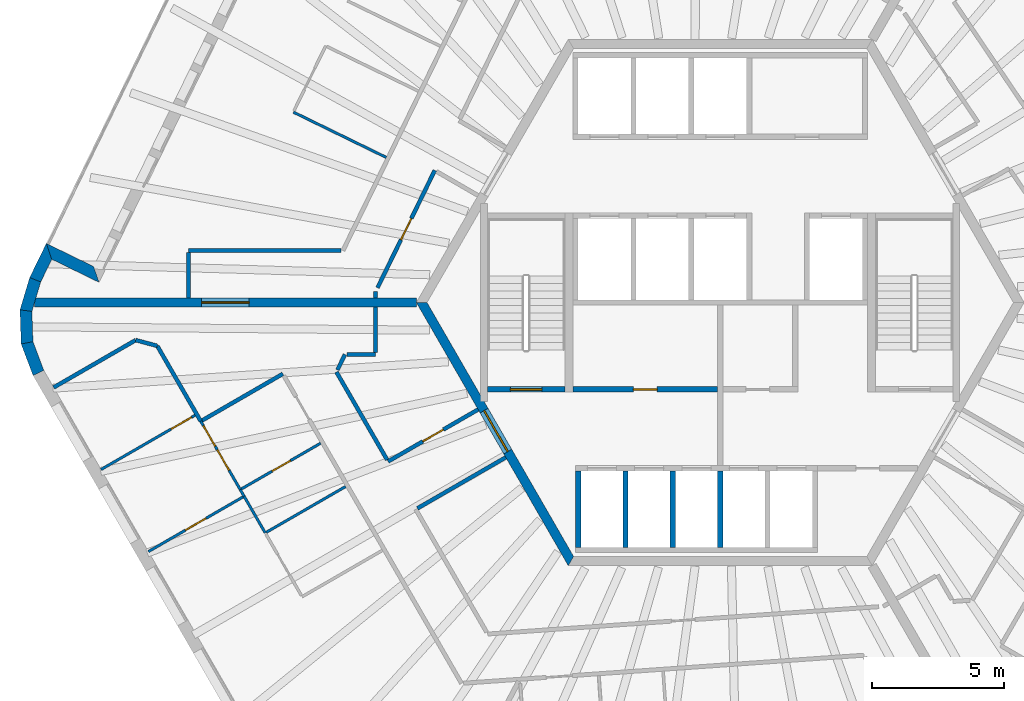
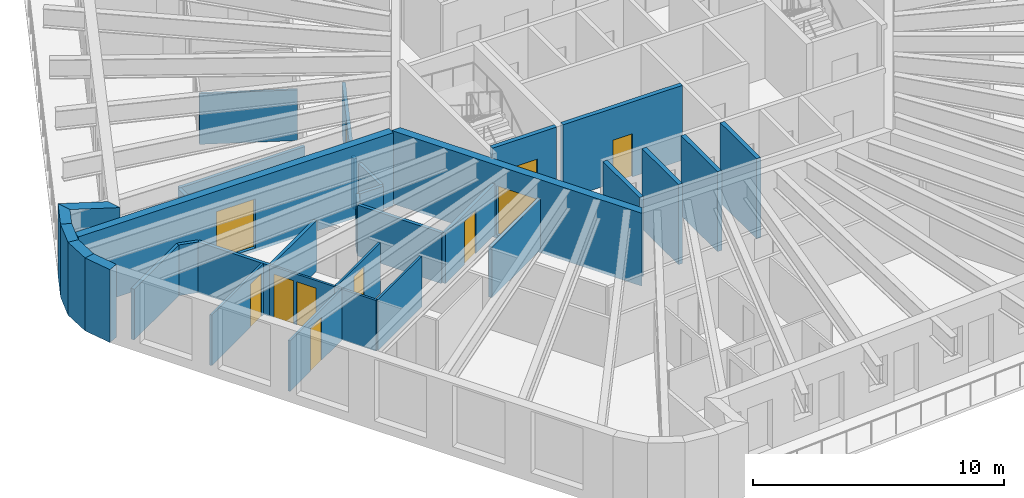
# One storey, part 4 of 11: 35 walls, 11 doors, 11 openings.
"""IFC4 building model written with IfcOpenShell, lengths in metres."""

from ifc_helpers import new_model, si_unit, direction, frame, frame_2d, origin, place, context, subcontext, project, spatial, polyline, rectangle, outline, extrude, material, layer, layer_set, type_object, element, fill, save


model = new_model("IFC4")

# Units and contexts
model_context = context("Model", 3, precision=1e-05, world=origin(), true_north=direction((0.0, 1.0)))
body_context = subcontext(model_context, "Body", "Model", "MODEL_VIEW")
ifc_project = project(units=[si_unit("LENGTHUNIT", "METRE"), si_unit("AREAUNIT", "SQUARE_METRE"), si_unit("VOLUMEUNIT", "CUBIC_METRE"), si_unit("PLANEANGLEUNIT", "RADIAN"), si_unit("MASSUNIT", "GRAM", prefix="KILO")], contexts=[model_context])

# Site, building, storey
site_placement = place(None, origin())
site = spatial("IfcSite", under=ifc_project, at=site_placement, CompositionType="ELEMENT")
building_placement = place(site_placement, origin())
building = spatial("IfcBuilding", under=site, at=building_placement, Name="Tarnside Tower", CompositionType="ELEMENT")
storey_placement = place(building_placement, frame((0.0, 0.0, 372.89990234375)))
storey = spatial("IfcBuildingStorey", under=building, at=storey_placement, Name="L90", CompositionType="ELEMENT", Elevation=372.89990234375)

# Wall
ifc_material_1 = material(Name="Gypsum board partition on steel studs", Category="steel")
ifc_layer_1 = layer(ifc_material_1, 0.10009765625)
ifc_layer_set_1 = layer_set([ifc_layer_1], Name="Bathroom wall 100")
wall_type_1 = type_object("IfcWallType", Name="Bathroom wall 100", PredefinedType="PARTITIONING", material=ifc_layer_set_1)
wall_1_placement = place(storey_placement, frame((-17.28857421875, -8.75537109375, 0.0), z_axis=(0.0, 0.0, 1.0), x_axis=(-0.499958946799, 0.866049104564, 0.0)))
element("IfcWall", 1, at=wall_1_placement, inside=storey, type_object=wall_type_1, Name="Bathroom wall 29107", PredefinedType="PARTITIONING", context=body_context, shape_type="SweptSolid", body=[
    extrude(rectangle(XDim=1.608642578125, YDim=0.10009765625, at=frame_2d((0.80419921875, 0.0))), origin(), (0.0, 0.0, 1.0), 2.47021484375),
])

# Wall, opening, door
wall_2_placement = place(storey_placement, frame((-18.238525390625, -7.10986328125, 0.0), z_axis=(0.0, 0.0, 1.0), x_axis=(0.866031034943, 0.499990246421, 0.0)))
wall_2 = element("IfcWall", 2, at=wall_2_placement, inside=storey, type_object=wall_type_1, Name="Bathroom wall 29116", PredefinedType="PARTITIONING", context=body_context, shape_type="SweptSolid", body=[
    extrude(rectangle(XDim=3.52490234375, YDim=0.10009765625, at=frame_2d((1.762451171875, 0.0))), origin(), (0.0, 0.0, 1.0), 2.47021484375),
])
opening_1_placement = place(wall_2_placement, frame((1.39990234375, 0.0, 0.0)))
opening_1 = element("IfcOpeningElement", 3, at=opening_1_placement, cuts=wall_2, Name="Opening D-B1", PredefinedType="OPENING", context=body_context, shape_type="SweptSolid", body=[
    extrude(rectangle(XDim=0.800048828125, YDim=2.10009765625, at=frame_2d((0.39990234375, 1.050048828125))), frame((0.0, 0.06005859375, 0.0), z_axis=(0.0, -1.0, 0.0), x_axis=(1.0, 0.0, 0.0)), (0.0, 0.0, 1.0), 0.1201171875),
])
ifc_material_2 = material(Name="Timber door leaf", Category="wood")
door_type_1 = type_object("IfcDoorType", Name="Bathroom door 800", OperationType="NOTDEFINED", PredefinedType="DOOR", material=ifc_material_2)
door_1_placement = place(opening_1_placement, origin())
door_1 = element("IfcDoor", 4, at=door_1_placement, inside=storey, type_object=door_type_1, Name="Bathroom door 29022", OperationType="SINGLE_SWING_LEFT", OverallHeight=2.10009765625, OverallWidth=0.800048828125, PredefinedType="DOOR", context=body_context, shape_type="SweptSolid", body=[
    extrude(rectangle(XDim=0.800048828125, YDim=2.10009765625, at=frame_2d((0.39990234375, 1.050048828125))), frame((0.0, 0.02490234375, 0.0), z_axis=(0.0, -1.0, 0.0), x_axis=(1.0, 0.0, 0.0)), (0.0, 0.0, 1.0), 0.050048828125),
])
fill(opening_1, door_1)

# Walls
wall_3_placement = place(storey_placement, frame((-18.239501953125, -7.108154296875, 0.0), z_axis=(0.0, 0.0, 1.0), x_axis=(0.499960902066, -0.86604797581, 0.0)))
element("IfcWall", 5, at=wall_3_placement, inside=storey, type_object=wall_type_1, Name="Bathroom wall 29118", PredefinedType="PARTITIONING", context=body_context, shape_type="SweptSolid", body=[
    extrude(rectangle(XDim=0.29541015625, YDim=0.10009765625, at=frame_2d((0.147705078125, 0.0))), origin(), (0.0, 0.0, 1.0), 2.47021484375),
])
wall_4_placement = place(storey_placement, frame((-17.245361328125, -8.730224609375, 0.0), z_axis=(0.0, 0.0, 1.0), x_axis=(0.866055725969, 0.499947476758, 0.0)))
element("IfcWall", 6, at=wall_4_placement, inside=storey, type_object=wall_type_1, Name="Bathroom wall 29119", PredefinedType="PARTITIONING", context=body_context, shape_type="SweptSolid", body=[
    extrude(rectangle(XDim=3.474853515625, YDim=0.10009765625, at=frame_2d((1.7373046875, 0.0))), origin(), (0.0, 0.0, 1.0), 2.47021484375),
])

# Wall, opening, door
ifc_material_3 = material(Name="Concrete C40/50", Category="concrete")
ifc_layer_2 = layer(ifc_material_3, 0.199951171875)
ifc_layer_set_2 = layer_set([ifc_layer_2], Name="Core room partition 200 C40/50")
wall_type_2 = type_object("IfcWallType", Name="Core room partition 200 C40/50", PredefinedType="PARTITIONING", material=ifc_layer_set_2)
wall_5_placement = place(storey_placement, frame((-5.60009765625, -3.300048828125, 0.0), z_axis=(0.0, 0.0, 1.0), x_axis=(1.0, 0.0, 0.0)))
wall_5 = element("IfcWall", 7, at=wall_5_placement, inside=storey, type_object=wall_type_2, Name="L90 core partition W3", PredefinedType="PARTITIONING", context=body_context, shape_type="SweptSolid", body=[
    extrude(rectangle(XDim=5.5, YDim=0.199951171875, at=frame_2d((2.75, 0.0))), origin(), (0.0, 0.0, 1.0), 3.650146484375),
])
opening_2_placement = place(wall_5_placement, frame((2.300048828125, 0.0, 0.0)))
opening_2 = element("IfcOpeningElement", 8, at=opening_2_placement, cuts=wall_5, Name="Opening CD-room", PredefinedType="OPENING", context=body_context, shape_type="SweptSolid", body=[
    extrude(rectangle(XDim=0.89990234375, YDim=2.10009765625, at=frame_2d((0.449951171875, 1.050048828125))), frame((0.0, 0.10986328125, 0.0), z_axis=(0.0, -1.0, 0.0), x_axis=(1.0, 0.0, 0.0)), (0.0, 0.0, 1.0), 0.219970703125),
])
ifc_material_4 = material(Name="Steel fire door", Category="steel")
door_type_2 = type_object("IfcDoorType", Name="Room door FD60 900x2100", OperationType="NOTDEFINED", PredefinedType="DOOR", material=ifc_material_4)
door_2_placement = place(opening_2_placement, origin())
door_2 = element("IfcDoor", 9, at=door_2_placement, inside=storey, type_object=door_type_2, Name="L90 core room door W3D", OperationType="SINGLE_SWING_LEFT", OverallHeight=2.10009765625, OverallWidth=0.89990234375, PredefinedType="DOOR", context=body_context, shape_type="SweptSolid", body=[
    extrude(rectangle(XDim=0.89990234375, YDim=2.10009765625, at=frame_2d((0.449951171875, 1.050048828125))), frame((0.0, 0.02490234375, 0.0), z_axis=(0.0, -1.0, 0.0), x_axis=(1.0, 0.0, 0.0)), (0.0, 0.0, 1.0), 0.050048828125),
])
fill(opening_2, door_2)

ifc_material_5 = material(Name="Concrete C50/60", Category="concrete")
ifc_layer_3 = layer(ifc_material_5, 0.35009765625)
ifc_layer_set_3 = layer_set([ifc_layer_3], Name="Core wall Z4 350 C50/60")
wall_type_3 = type_object("IfcWallType", Name="Core wall Z4 350 C50/60", PredefinedType="SHEAR", material=ifc_layer_set_3)
wall_6_placement = place(storey_placement, frame((-11.344970703125, 0.0, -0.14990234375), z_axis=(0.0, 0.0, 1.0), x_axis=(0.499995046907, -0.866028263435, 0.0)))
wall_6 = element("IfcWall", 10, at=wall_6_placement, inside=storey, type_object=wall_type_3, Name="L90 core wall face 3", PredefinedType="SHEAR", context=body_context, shape_type="SweptSolid", body=[
    extrude(outline(polyline([(-0.10107421875, -0.175048828125), (11.44580078125, -0.175048828125), (11.24365234375, 0.175048828125), (0.10107421875, 0.175048828125), (-0.10107421875, -0.175048828125)])), origin(), (0.0, 0.0, 1.0), 3.550048828125),
])
opening_3_placement = place(wall_6_placement, frame((4.74365234375, 0.0, 0.14990234375)))
opening_3 = element("IfcOpeningElement", 11, at=opening_3_placement, cuts=wall_6, Name="Opening CD-FFL", PredefinedType="OPENING", context=body_context, shape_type="SweptSolid", body=[
    extrude(rectangle(XDim=1.800048828125, YDim=2.39990234375, at=frame_2d((0.89990234375, 1.199951171875))), frame((0.0, 0.18505859375, 0.0), z_axis=(0.0, -1.0, 0.0), x_axis=(1.0, 0.0, 0.0)), (0.0, 0.0, 1.0), 0.3701171875),
])
door_type_3 = type_object("IfcDoorType", Name="Firefighting lobby double door FD60S 1800x2400", OperationType="NOTDEFINED", PredefinedType="DOOR", material=ifc_material_4)
door_3_placement = place(opening_3_placement, origin())
door_3 = element("IfcDoor", 12, at=door_3_placement, inside=storey, type_object=door_type_3, Name="L90 core door P3", OperationType="DOUBLE_DOOR_SINGLE_SWING", OverallHeight=2.39990234375, OverallWidth=1.800048828125, PredefinedType="DOOR", context=body_context, shape_type="SweptSolid", body=[
    extrude(rectangle(XDim=1.800048828125, YDim=2.39990234375, at=frame_2d((0.89990234375, 1.199951171875))), frame((0.0, 0.02490234375, 0.0), z_axis=(0.0, -1.0, 0.0), x_axis=(1.0, 0.0, 0.0)), (0.0, 0.0, 1.0), 0.050048828125),
])
fill(opening_3, door_3)

wall_7_placement = place(storey_placement, frame((-11.547119140625, 0.0, -0.14990234375), z_axis=(0.0, 0.0, 1.0), x_axis=(-1.0, 0.0, 0.0)))
wall_7 = element("IfcWall", 13, at=wall_7_placement, inside=storey, type_object=wall_type_3, Name="L90 spine wall 2", PredefinedType="SHEAR", context=body_context, shape_type="SweptSolid", body=[
    extrude(rectangle(XDim=14.510498046875, YDim=0.35009765625, at=frame_2d((7.25537109375, 0.0))), origin(), (0.0, 0.0, 1.0), 3.550048828125),
])
opening_4_placement = place(wall_7_placement, frame((6.355224609375, 0.0, 0.14990234375)))
opening_4 = element("IfcOpeningElement", 14, at=opening_4_placement, cuts=wall_7, Name="Opening CD-SPN", PredefinedType="OPENING", context=body_context, shape_type="SweptSolid", body=[
    extrude(rectangle(XDim=1.800048828125, YDim=2.39990234375, at=frame_2d((0.89990234375, 1.199951171875))), frame((0.0, 0.18505859375, 0.0), z_axis=(0.0, -1.0, 0.0), x_axis=(1.0, 0.0, 0.0)), (0.0, 0.0, 1.0), 0.3701171875),
])
door_type_4 = type_object("IfcDoorType", Name="Spine passage double door FD60 1800x2400", OperationType="NOTDEFINED", PredefinedType="DOOR", material=ifc_material_4)
door_4_placement = place(opening_4_placement, origin())
door_4 = element("IfcDoor", 15, at=door_4_placement, inside=storey, type_object=door_type_4, Name="L90 spine passage door 2", OperationType="DOUBLE_DOOR_SINGLE_SWING", OverallHeight=2.39990234375, OverallWidth=1.800048828125, PredefinedType="DOOR", context=body_context, shape_type="SweptSolid", body=[
    extrude(rectangle(XDim=1.800048828125, YDim=2.39990234375, at=frame_2d((0.89990234375, 1.199951171875))), frame((0.0, 0.02490234375, 0.0), z_axis=(0.0, -1.0, 0.0), x_axis=(1.0, 0.0, 0.0)), (0.0, 0.0, 1.0), 0.050048828125),
])
fill(opening_4, door_4)

# Walls
ifc_layer_4 = layer(ifc_material_1, 0.14990234375)
ifc_layer_set_4 = layer_set([ifc_layer_4], Name="Corridor wall 150 EI 60")
wall_type_4 = type_object("IfcWallType", Name="Corridor wall 150 EI 60", PredefinedType="PARTITIONING", material=ifc_layer_set_4)
wall_8_placement = place(storey_placement, frame((-14.41845703125, 1.97509765625, 0.0), z_axis=(0.0, 0.0, 1.0), x_axis=(-1.0, 0.0, 0.0)))
element("IfcWall", 16, at=wall_8_placement, inside=storey, type_object=wall_type_4, Name="Corridor wall 29012", PredefinedType="PARTITIONING", context=body_context, shape_type="SweptSolid", body=[
    extrude(rectangle(XDim=5.783935546875, YDim=0.14990234375, at=frame_2d((2.89208984375, 0.0))), origin(), (0.0, 0.0, 1.0), 2.47021484375),
])
wall_9_placement = place(storey_placement, frame((-20.202392578125, 1.89990234375, 0.0), z_axis=(0.0, 0.0, 1.0), x_axis=(0.0, -1.0, 0.0)))
element("IfcWall", 17, at=wall_9_placement, inside=storey, type_object=wall_type_4, Name="Corridor wall 29013", PredefinedType="PARTITIONING", context=body_context, shape_type="SweptSolid", body=[
    extrude(rectangle(XDim=1.724853515625, YDim=0.14990234375, at=frame_2d((0.8623046875, 0.0))), origin(), (0.0, 0.0, 1.0), 2.47021484375),
])
wall_10_placement = place(storey_placement, frame((-13.095703125, 0.175048828125, 0.0), z_axis=(0.0, 0.0, 1.0), x_axis=(0.0, 1.0, 0.0)))
element("IfcWall", 18, at=wall_10_placement, inside=storey, type_object=wall_type_4, Name="Corridor wall 29024", PredefinedType="PARTITIONING", context=body_context, shape_type="SweptSolid", body=[
    extrude(rectangle(XDim=0.235107421875, YDim=0.14990234375, at=frame_2d((0.11767578125, 0.0))), origin(), (0.0, 0.0, 1.0), 2.47021484375),
])

# Wall, opening, door
wall_11_placement = place(storey_placement, frame((-13.0205078125, 0.563720703125, 0.0), z_axis=(0.0, 0.0, 1.0), x_axis=(0.438343062662, 0.8988077433, 0.0)))
wall_11 = element("IfcWall", 19, at=wall_11_placement, inside=storey, type_object=wall_type_4, Name="Corridor wall 29025", PredefinedType="PARTITIONING", context=body_context, shape_type="SweptSolid", body=[
    extrude(rectangle(XDim=4.955322265625, YDim=0.14990234375, at=frame_2d((2.4775390625, 0.0))), origin(), (0.0, 0.0, 1.0), 2.47021484375),
])
opening_5_placement = place(wall_11_placement, frame((2.027587890625, 0.0, 0.0)))
opening_5 = element("IfcOpeningElement", 20, at=opening_5_placement, cuts=wall_11, Name="Opening D-S1", PredefinedType="OPENING", context=body_context, shape_type="SweptSolid", body=[
    extrude(rectangle(XDim=0.89990234375, YDim=2.10009765625, at=frame_2d((0.449951171875, 1.050048828125))), frame((0.0, 0.0849609375, 0.0), z_axis=(0.0, -1.0, 0.0), x_axis=(1.0, 0.0, 0.0)), (0.0, 0.0, 1.0), 0.169921875),
])
door_type_5 = type_object("IfcDoorType", Name="Service room door 900 FD30S", OperationType="NOTDEFINED", PredefinedType="DOOR", material=ifc_material_2)
door_5_placement = place(opening_5_placement, origin())
door_5 = element("IfcDoor", 21, at=door_5_placement, inside=storey, type_object=door_type_5, Name="Service door 29058", OperationType="SINGLE_SWING_LEFT", OverallHeight=2.10009765625, OverallWidth=0.89990234375, PredefinedType="DOOR", context=body_context, shape_type="SweptSolid", body=[
    extrude(rectangle(XDim=0.89990234375, YDim=2.10009765625, at=frame_2d((0.449951171875, 1.050048828125))), frame((0.0, 0.02490234375, 0.0), z_axis=(0.0, -1.0, 0.0), x_axis=(1.0, 0.0, 0.0)), (0.0, 0.0, 1.0), 0.050048828125),
])
fill(opening_5, door_5)

# Walls
wall_12_placement = place(storey_placement, frame((-19.738525390625, -4.51171875, 0.0), z_axis=(0.0, 0.0, 1.0), x_axis=(0.866018442252, 0.500012057535, 0.0)))
element("IfcWall", 22, at=wall_12_placement, inside=storey, type_object=wall_type_4, Name="Corridor wall 29029", PredefinedType="PARTITIONING", context=body_context, shape_type="SweptSolid", body=[
    extrude(rectangle(XDim=3.60009765625, YDim=0.14990234375, at=frame_2d((1.800048828125, 0.0))), origin(), (0.0, 0.0, 1.0), 2.47021484375),
])
wall_13_placement = place(storey_placement, frame((-25.3291015625, -3.228759765625, 0.0), z_axis=(0.0, 0.0, 1.0), x_axis=(0.866030854095, 0.499990559667, 0.0)))
element("IfcWall", 23, at=wall_13_placement, inside=storey, type_object=wall_type_4, Name="Corridor wall 29032", PredefinedType="PARTITIONING", context=body_context, shape_type="SweptSolid", body=[
    extrude(rectangle(XDim=3.599609375, YDim=0.14990234375, at=frame_2d((1.7998046875, 0.0))), origin(), (0.0, 0.0, 1.0), 2.47021484375),
])
wall_14_placement = place(storey_placement, frame((-22.210693359375, -1.428955078125, 0.0), z_axis=(0.0, 0.0, 1.0), x_axis=(0.965937762102, -0.258774495933, 0.0)))
element("IfcWall", 24, at=wall_14_placement, inside=storey, type_object=wall_type_4, Name="Corridor wall 29033", PredefinedType="PARTITIONING", context=body_context, shape_type="SweptSolid", body=[
    extrude(rectangle(XDim=0.84716796875, YDim=0.14990234375, at=frame_2d((0.423583984375, 0.0))), origin(), (0.0, 0.0, 1.0), 2.47021484375),
])
wall_15_placement = place(storey_placement, frame((-21.391845703125, -1.6484375, 0.0), z_axis=(0.0, 0.0, 1.0), x_axis=(0.500018282537, -0.866014848099, 0.0)))
element("IfcWall", 25, at=wall_15_placement, inside=storey, type_object=wall_type_4, Name="Corridor wall 29034", PredefinedType="PARTITIONING", context=body_context, shape_type="SweptSolid", body=[
    extrude(rectangle(XDim=3.31005859375, YDim=0.14990234375, at=frame_2d((1.655029296875, 0.0))), origin(), (0.0, 0.0, 1.0), 2.47021484375),
])

# Wall, opening, door
wall_16_placement = place(storey_placement, frame((-9.19970703125, -4.065673828125, 0.0), z_axis=(0.0, 0.0, 1.0), x_axis=(-0.866020906874, -0.500007788796, 0.0)))
wall_16 = element("IfcWall", 26, at=wall_16_placement, inside=storey, type_object=wall_type_4, Name="Corridor wall 29042", PredefinedType="PARTITIONING", context=body_context, shape_type="SweptSolid", body=[
    extrude(rectangle(XDim=3.9501953125, YDim=0.14990234375, at=frame_2d((1.97509765625, 0.0))), origin(), (0.0, 0.0, 1.0), 2.47021484375),
])
opening_6_placement = place(wall_16_placement, frame((1.52490234375, 0.0, 0.0)))
opening_6 = element("IfcOpeningElement", 27, at=opening_6_placement, cuts=wall_16, Name="Opening D-S1", PredefinedType="OPENING", context=body_context, shape_type="SweptSolid", body=[
    extrude(rectangle(XDim=0.89990234375, YDim=2.10009765625, at=frame_2d((0.449951171875, 1.050048828125))), frame((0.0, 0.0849609375, 0.0), z_axis=(0.0, -1.0, 0.0), x_axis=(1.0, 0.0, 0.0)), (0.0, 0.0, 1.0), 0.169921875),
])
door_6_placement = place(opening_6_placement, origin())
door_6 = element("IfcDoor", 28, at=door_6_placement, inside=storey, type_object=door_type_5, Name="Service door 29059", OperationType="SINGLE_SWING_LEFT", OverallHeight=2.10009765625, OverallWidth=0.89990234375, PredefinedType="DOOR", context=body_context, shape_type="SweptSolid", body=[
    extrude(rectangle(XDim=0.89990234375, YDim=2.10009765625, at=frame_2d((0.449951171875, 1.050048828125))), frame((0.0, 0.02490234375, 0.0), z_axis=(0.0, -1.0, 0.0), x_axis=(1.0, 0.0, 0.0)), (0.0, 0.0, 1.0), 0.050048828125),
])
fill(opening_6, door_6)

# Walls
wall_17_placement = place(storey_placement, frame((-12.657958984375, -5.975830078125, 0.0), z_axis=(0.0, 0.0, 1.0), x_axis=(-0.499991345342, 0.866030400496, 0.0)))
element("IfcWall", 29, at=wall_17_placement, inside=storey, type_object=wall_type_4, Name="Corridor wall 29043", PredefinedType="PARTITIONING", context=body_context, shape_type="SweptSolid", body=[
    extrude(rectangle(XDim=3.85107421875, YDim=0.14990234375, at=frame_2d((1.925537109375, 0.0))), origin(), (0.0, 0.0, 1.0), 2.47021484375),
])
wall_18_placement = place(storey_placement, frame((-14.5439453125, -2.559326171875, 0.0), z_axis=(0.0, 0.0, 1.0), x_axis=(0.438630789999, 0.898667363414, 0.0)))
element("IfcWall", 30, at=wall_18_placement, inside=storey, type_object=wall_type_4, Name="Corridor wall 29044", PredefinedType="PARTITIONING", context=body_context, shape_type="SweptSolid", body=[
    extrude(rectangle(XDim=0.650146484375, YDim=0.14990234375, at=frame_2d((0.3251953125, 0.0))), origin(), (0.0, 0.0, 1.0), 2.47021484375),
])
wall_19_placement = place(storey_placement, frame((-14.175537109375, -1.97509765625, 0.0), z_axis=(0.0, 0.0, 1.0), x_axis=(1.0, 0.0, 0.0)))
element("IfcWall", 31, at=wall_19_placement, inside=storey, type_object=wall_type_4, Name="Corridor wall 29045", PredefinedType="PARTITIONING", context=body_context, shape_type="SweptSolid", body=[
    extrude(rectangle(XDim=1.079833984375, YDim=0.14990234375, at=frame_2d((0.5400390625, 0.0))), origin(), (0.0, 0.0, 1.0), 2.47021484375),
])
wall_20_placement = place(storey_placement, frame((-13.095703125, -1.89990234375, 0.0), z_axis=(0.0, 0.0, 1.0), x_axis=(0.0, 1.0, 0.0)))
element("IfcWall", 32, at=wall_20_placement, inside=storey, type_object=wall_type_4, Name="Corridor wall 29046", PredefinedType="PARTITIONING", context=body_context, shape_type="SweptSolid", body=[
    extrude(rectangle(XDim=1.724853515625, YDim=0.14990234375, at=frame_2d((0.8623046875, 0.0))), origin(), (0.0, 0.0, 1.0), 2.47021484375),
])
wall_21_placement = place(storey_placement, frame((-11.505615234375, -7.82177734375, 0.0), z_axis=(0.0, 0.0, 1.0), x_axis=(0.866032409438, 0.499987865656, 0.0)))
element("IfcWall", 33, at=wall_21_placement, inside=storey, type_object=wall_type_4, Name="Corridor wall 29050", PredefinedType="PARTITIONING", context=body_context, shape_type="SweptSolid", body=[
    extrude(rectangle(XDim=3.875, YDim=0.14990234375, at=frame_2d((1.9375, 0.0))), origin(), (0.0, 0.0, 1.0), 2.47021484375),
])
ifc_layer_5 = layer(ifc_material_3, 0.199951171875)
ifc_layer_set_5 = layer_set([ifc_layer_5], Name="Lift shaft wall 200 C40/50")
wall_type_5 = type_object("IfcWallType", Name="Lift shaft wall 200 C40/50", PredefinedType="SHEAR", material=ifc_layer_set_5)
for number, where, z_axis, x_axis, name in (
    (34, (-5.39990234375, -9.300048828125, -0.25), (0.0, 0.0, 1.0), (0.0, 1.0, 0.0), "L90 lift shaft partition R41"),
    (35, (-3.60009765625, -9.300048828125, -0.25), (0.0, 0.0, 1.0), (0.0, 1.0, 0.0), "L90 lift shaft partition R42"),
    (36, (-1.800048828125, -9.300048828125, -0.25), (0.0, 0.0, 1.0), (0.0, 1.0, 0.0), "L90 lift shaft partition R43"),
    (37, (0.0, -9.300048828125, -0.25), (0.0, 0.0, 1.0), (0.0, 1.0, 0.0), "L90 lift shaft partition R44"),
):
    element("IfcWall", number, at=place(storey_placement, frame(where, z_axis=z_axis, x_axis=x_axis)), inside=storey, type_object=wall_type_5, Name=name, PredefinedType="SHEAR", context=body_context, shape_type="SweptSolid", body=[
        extrude(rectangle(XDim=2.900146484375, YDim=0.199951171875, at=frame_2d((1.4501953125, 0.0))), origin(), (0.0, 0.0, 1.0), 3.900146484375),
    ])

# Wall, opening, door
wall_22_placement = place(storey_placement, frame((-8.85009765625, -3.300048828125, -0.25), z_axis=(0.0, 0.0, 1.0), x_axis=(1.0, 0.0, 0.0)))
wall_22 = element("IfcWall", 38, at=wall_22_placement, inside=storey, type_object=wall_type_5, Name="L90 stair 2 enclosure cap wall s", PredefinedType="SHEAR", context=body_context, shape_type="SweptSolid", body=[
    extrude(rectangle(XDim=2.9501953125, YDim=0.199951171875, at=frame_2d((1.47509765625, 0.0))), origin(), (0.0, 0.0, 1.0), 3.900146484375),
])
opening_7_placement = place(wall_22_placement, frame((0.875, 0.0, 0.25)))
opening_7 = element("IfcOpeningElement", 39, at=opening_7_placement, cuts=wall_22, Name="Opening CD-STR", PredefinedType="OPENING", context=body_context, shape_type="SweptSolid", body=[
    extrude(rectangle(XDim=1.199951171875, YDim=2.39990234375, at=frame_2d((0.60009765625, 1.199951171875))), frame((0.0, 0.10986328125, 0.0), z_axis=(0.0, -1.0, 0.0), x_axis=(1.0, 0.0, 0.0)), (0.0, 0.0, 1.0), 0.219970703125),
])
door_type_6 = type_object("IfcDoorType", Name="Stair door FD60S 1200x2400", OperationType="NOTDEFINED", PredefinedType="DOOR", material=ifc_material_4)
door_7_placement = place(opening_7_placement, origin())
door_7 = element("IfcDoor", 40, at=door_7_placement, inside=storey, type_object=door_type_6, Name="L90 stair 2 door", OperationType="SINGLE_SWING_LEFT", OverallHeight=2.39990234375, OverallWidth=1.199951171875, PredefinedType="DOOR", context=body_context, shape_type="SweptSolid", body=[
    extrude(rectangle(XDim=1.199951171875, YDim=2.39990234375, at=frame_2d((0.60009765625, 1.199951171875))), frame((0.0, 0.02490234375, 0.0), z_axis=(0.0, -1.0, 0.0), x_axis=(1.0, 0.0, 0.0)), (0.0, 0.0, 1.0), 0.050048828125),
])
fill(opening_7, door_7)

# Walls
ifc_material_6 = material(Name="Dark zinc cladding")
ifc_layer_6 = layer(ifc_material_6, 0.10205078125)
ifc_material_7 = material(Name="Concrete C60/75 precast", Category="concrete")
ifc_layer_7 = layer(ifc_material_7, 0.248046875)
ifc_material_8 = material(Name="Mineral wool insulation")
ifc_layer_8 = layer(ifc_material_8, 0.10009765625)
ifc_layer_set_6 = layer_set([ifc_layer_6, ifc_layer_7, ifc_layer_8], Name="Loggia wall 450 zinc faced")
wall_type_6 = type_object("IfcWallType", Name="Loggia wall 450 zinc faced", PredefinedType="SOLIDWALL", material=ifc_layer_set_6)
wall_23_placement = place(storey_placement, frame((-23.70703125, 1.066162109375, -0.14990234375), z_axis=(0.0, 0.0, 1.0), x_axis=(-0.898779005228, 0.438401984213, 0.0)))
element("IfcWall", 41, at=wall_23_placement, inside=storey, type_object=wall_type_6, Name="Tube wall L90 F2 return 07", PredefinedType="SOLIDWALL", context=body_context, shape_type="SweptSolid", body=[
    extrude(outline(polyline([(0.224853515625, -0.22509765625), (2.224609375, -0.22509765625), (1.77490234375, 0.22509765625), (-0.224853515625, 0.22509765625), (0.224853515625, -0.22509765625)])), origin(), (0.0, 0.0, 1.0), 3.550048828125),
])
wall_24_placement = place(storey_placement, frame((-25.50439453125, 1.94287109375, -0.14990234375), z_axis=(0.0, 0.0, 1.0), x_axis=(-0.43840359141, -0.898778221275, 0.0)))
element("IfcWall", 42, at=wall_24_placement, inside=storey, type_object=wall_type_6, Name="Tube wall L90 F2 stub 08", PredefinedType="SOLIDWALL", context=body_context, shape_type="SweptSolid", body=[
    extrude(outline(polyline([(-0.224853515625, -0.22509765625), (1.218505859375, -0.22509765625), (1.181884765625, 0.22509765625), (0.224853515625, 0.22509765625), (-0.224853515625, -0.22509765625)])), origin(), (0.0, 0.0, 1.0), 3.550048828125),
])
ifc_layer_9 = layer(ifc_material_1, 0.10009765625)
ifc_layer_set_7 = layer_set([ifc_layer_9], Name="Partition 100")
wall_type_7 = type_object("IfcWallType", Name="Partition 100", PredefinedType="PARTITIONING", material=ifc_layer_set_7)
wall_25_placement = place(storey_placement, frame((-12.6923828125, 5.513916015625, 0.0), z_axis=(0.0, 0.0, 1.0), x_axis=(-0.898787574002, 0.438384416717, 0.0)))
element("IfcWall", 43, at=wall_25_placement, inside=storey, type_object=wall_type_7, Name="Partition wall 29097", PredefinedType="PARTITIONING", context=body_context, shape_type="SweptSolid", body=[
    extrude(rectangle(XDim=3.925048828125, YDim=0.10009765625, at=frame_2d((1.96240234375, 0.0))), origin(), (0.0, 0.0, 1.0), 2.47021484375),
])

# Wall, opening, door
wall_26_placement = place(storey_placement, frame((-18.135009765625, -7.38916015625, 0.0), z_axis=(0.0, 0.0, 1.0), x_axis=(-0.86602981871, -0.499992353047, 0.0)))
wall_26 = element("IfcWall", 44, at=wall_26_placement, inside=storey, type_object=wall_type_7, Name="Partition wall 29108", PredefinedType="PARTITIONING", context=body_context, shape_type="SweptSolid", body=[
    extrude(rectangle(XDim=4.14990234375, YDim=0.10009765625, at=frame_2d((2.074951171875, 0.0))), origin(), (0.0, 0.0, 1.0), 2.47021484375),
])
opening_8_placement = place(wall_26_placement, frame((1.625, 0.0, 0.0)))
opening_8 = element("IfcOpeningElement", 45, at=opening_8_placement, cuts=wall_26, Name="Opening D-I1", PredefinedType="OPENING", context=body_context, shape_type="SweptSolid", body=[
    extrude(rectangle(XDim=0.89990234375, YDim=2.10009765625, at=frame_2d((0.449951171875, 1.050048828125))), frame((0.0, 0.06005859375, 0.0), z_axis=(0.0, -1.0, 0.0), x_axis=(1.0, 0.0, 0.0)), (0.0, 0.0, 1.0), 0.1201171875),
])
door_type_7 = type_object("IfcDoorType", Name="Internal door 900", OperationType="NOTDEFINED", PredefinedType="DOOR", material=ifc_material_2)
door_8_placement = place(opening_8_placement, origin())
door_8 = element("IfcDoor", 46, at=door_8_placement, inside=storey, type_object=door_type_7, Name="Internal door 29055", OperationType="SINGLE_SWING_RIGHT", OverallHeight=2.10009765625, OverallWidth=0.89990234375, PredefinedType="DOOR", context=body_context, shape_type="SweptSolid", body=[
    extrude(rectangle(XDim=0.89990234375, YDim=2.10009765625, at=frame_2d((0.449951171875, 1.050048828125))), frame((0.0, 0.02490234375, 0.0), z_axis=(0.0, -1.0, 0.0), x_axis=(1.0, 0.0, 0.0)), (0.0, 0.0, 1.0), 0.050048828125),
])
fill(opening_8, door_8)

# Wall, openings, doors
wall_27_placement = place(storey_placement, frame((-19.739501953125, -4.510009765625, 0.0), z_axis=(0.0, 0.0, 1.0), x_axis=(0.499985098601, -0.86603400694, 0.0)))
wall_27 = element("IfcWall", 47, at=wall_27_placement, inside=storey, type_object=wall_type_7, Name="Partition wall 29117", PredefinedType="PARTITIONING", context=body_context, shape_type="SweptSolid", body=[
    extrude(rectangle(XDim=3.00390625, YDim=0.10009765625, at=frame_2d((1.501953125, 0.0))), origin(), (0.0, 0.0, 1.0), 2.47021484375),
])
opening_9_placement = place(wall_27_placement, frame((0.199951171875, 0.0, 0.0)))
opening_9 = element("IfcOpeningElement", 48, at=opening_9_placement, cuts=wall_27, Name="Opening D-I1", PredefinedType="OPENING", context=body_context, shape_type="SweptSolid", body=[
    extrude(rectangle(XDim=0.89990234375, YDim=2.10009765625, at=frame_2d((0.449951171875, 1.050048828125))), frame((0.0, 0.06005859375, 0.0), z_axis=(0.0, -1.0, 0.0), x_axis=(1.0, 0.0, 0.0)), (0.0, 0.0, 1.0), 0.1201171875),
])
opening_10_placement = place(wall_27_placement, frame((1.251953125, 0.0, 0.0)))
opening_10 = element("IfcOpeningElement", 49, at=opening_10_placement, cuts=wall_27, Name="Opening D-I1", PredefinedType="OPENING", context=body_context, shape_type="SweptSolid", body=[
    extrude(rectangle(XDim=0.89990234375, YDim=2.10009765625, at=frame_2d((0.449951171875, 1.050048828125))), frame((0.0, 0.06005859375, 0.0), z_axis=(0.0, -1.0, 0.0), x_axis=(1.0, 0.0, 0.0)), (0.0, 0.0, 1.0), 0.1201171875),
])
door_9_placement = place(opening_9_placement, origin())
door_9 = element("IfcDoor", 50, at=door_9_placement, inside=storey, type_object=door_type_7, Name="Internal door 29025", OperationType="SINGLE_SWING_LEFT", OverallHeight=2.10009765625, OverallWidth=0.89990234375, PredefinedType="DOOR", context=body_context, shape_type="SweptSolid", body=[
    extrude(rectangle(XDim=0.89990234375, YDim=2.10009765625, at=frame_2d((0.449951171875, 1.050048828125))), frame((0.0, 0.02490234375, 0.0), z_axis=(0.0, -1.0, 0.0), x_axis=(1.0, 0.0, 0.0)), (0.0, 0.0, 1.0), 0.050048828125),
])
fill(opening_9, door_9)
door_10_placement = place(opening_10_placement, origin())
door_10 = element("IfcDoor", 51, at=door_10_placement, inside=storey, type_object=door_type_7, Name="Internal door 29029", OperationType="SINGLE_SWING_LEFT", OverallHeight=2.10009765625, OverallWidth=0.89990234375, PredefinedType="DOOR", context=body_context, shape_type="SweptSolid", body=[
    extrude(rectangle(XDim=0.89990234375, YDim=2.10009765625, at=frame_2d((0.449951171875, 1.050048828125))), frame((0.0, 0.02490234375, 0.0), z_axis=(0.0, -1.0, 0.0), x_axis=(1.0, 0.0, 0.0)), (0.0, 0.0, 1.0), 0.050048828125),
])
fill(opening_10, door_10)

# Wall, opening, door
wall_28_placement = place(storey_placement, frame((-23.529052734375, -6.346435546875, 0.0), z_axis=(0.0, 0.0, 1.0), x_axis=(0.866019999656, 0.500009360108, 0.0)))
wall_28 = element("IfcWall", 52, at=wall_28_placement, inside=storey, type_object=wall_type_7, Name="Partition wall 29120", PredefinedType="PARTITIONING", context=body_context, shape_type="SweptSolid", body=[
    extrude(rectangle(XDim=4.125, YDim=0.10009765625, at=frame_2d((2.0625, 0.0))), origin(), (0.0, 0.0, 1.0), 2.47021484375),
])
opening_11_placement = place(wall_28_placement, frame((3.074951171875, 0.0, 0.0)))
opening_11 = element("IfcOpeningElement", 53, at=opening_11_placement, cuts=wall_28, Name="Opening D-I1", PredefinedType="OPENING", context=body_context, shape_type="SweptSolid", body=[
    extrude(rectangle(XDim=0.89990234375, YDim=2.10009765625, at=frame_2d((0.449951171875, 1.050048828125))), frame((0.0, 0.06005859375, 0.0), z_axis=(0.0, -1.0, 0.0), x_axis=(1.0, 0.0, 0.0)), (0.0, 0.0, 1.0), 0.1201171875),
])
door_11_placement = place(opening_11_placement, origin())
door_11 = element("IfcDoor", 54, at=door_11_placement, inside=storey, type_object=door_type_7, Name="Internal door 29028", OperationType="SINGLE_SWING_RIGHT", OverallHeight=2.10009765625, OverallWidth=0.89990234375, PredefinedType="DOOR", context=body_context, shape_type="SweptSolid", body=[
    extrude(rectangle(XDim=0.89990234375, YDim=2.10009765625, at=frame_2d((0.449951171875, 1.050048828125))), frame((0.0, 0.02490234375, 0.0), z_axis=(0.0, -1.0, 0.0), x_axis=(1.0, 0.0, 0.0)), (0.0, 0.0, 1.0), 0.050048828125),
])
fill(opening_11, door_11)

# Walls
ifc_material_9 = material(Name="Facing brick", Category="masonry")
ifc_layer_10 = layer(ifc_material_9, 0.10205078125)
ifc_layer_11 = layer(ifc_material_7, 0.248046875)
ifc_layer_12 = layer(ifc_material_8, 0.10009765625)
ifc_layer_set_8 = layer_set([ifc_layer_10, ifc_layer_11, ifc_layer_12], Name="Tube wall 450 brick faced")
wall_type_8 = type_object("IfcWallType", Name="Tube wall 450 brick faced", PredefinedType="SOLIDWALL", material=ifc_layer_set_8)
wall_29_placement = place(storey_placement, frame((-26.030517578125, 0.8642578125, -0.14990234375), z_axis=(0.0, 0.0, 1.0), x_axis=(-0.286945389156, -0.957946941977, 0.0)))
element("IfcWall", 55, at=wall_29_placement, inside=storey, type_object=wall_type_8, Name="Tube wall L90 F2 chord 09", PredefinedType="SOLIDWALL", context=body_context, shape_type="SweptSolid", body=[
    extrude(outline(polyline([(-0.018310546875, -0.22509765625), (1.26123046875, -0.22509765625), (1.1875, 0.22509765625), (0.018310546875, 0.22509765625), (-0.018310546875, -0.22509765625)])), origin(), (0.0, 0.0, 1.0), 3.550048828125),
])
wall_30_placement = place(storey_placement, frame((-26.3818359375, -0.30859375, -0.14990234375), z_axis=(0.0, 0.0, 1.0), x_axis=(0.034887984255, -0.999391228976, 0.0)))
element("IfcWall", 56, at=wall_30_placement, inside=storey, type_object=wall_type_8, Name="Tube wall L90 F2 chord 10", PredefinedType="SOLIDWALL", context=body_context, shape_type="SweptSolid", body=[
    extrude(outline(polyline([(-0.036865234375, -0.22509765625), (1.261474609375, -0.22509765625), (1.187744140625, 0.22509765625), (0.036865234375, 0.22509765625), (-0.036865234375, -0.22509765625)])), origin(), (0.0, 0.0, 1.0), 3.550048828125),
])
wall_31_placement = place(storey_placement, frame((-26.339111328125, -1.532470703125, -0.14990234375), z_axis=(0.0, 0.0, 1.0), x_axis=(0.353132996235, -0.935573132882, 0.0)))
element("IfcWall", 57, at=wall_31_placement, inside=storey, type_object=wall_type_8, Name="Tube wall L90 F2 chord 11", PredefinedType="SOLIDWALL", context=body_context, shape_type="SweptSolid", body=[
    extrude(outline(polyline([(-0.036865234375, -0.22509765625), (1.24267578125, -0.22509765625), (1.2060546875, 0.22509765625), (0.036865234375, 0.22509765625), (-0.036865234375, -0.22509765625)])), origin(), (0.0, 0.0, 1.0), 3.550048828125),
])

save(model, "model.ifc")
